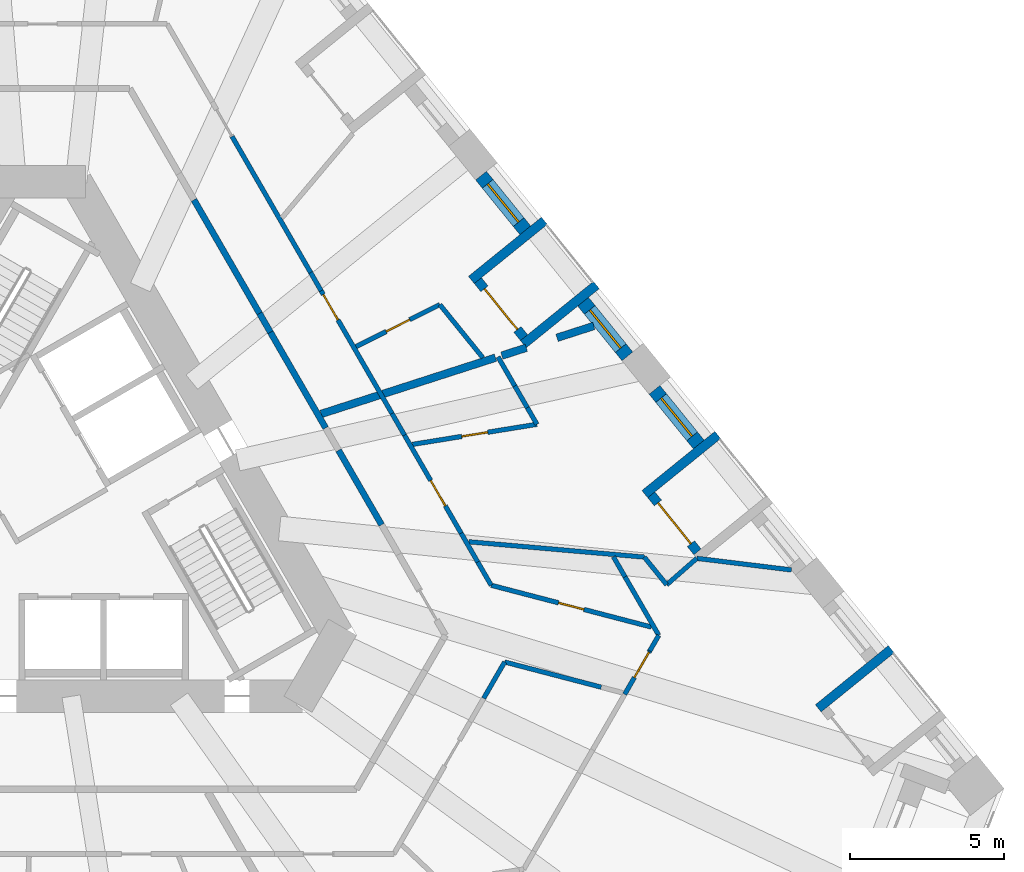
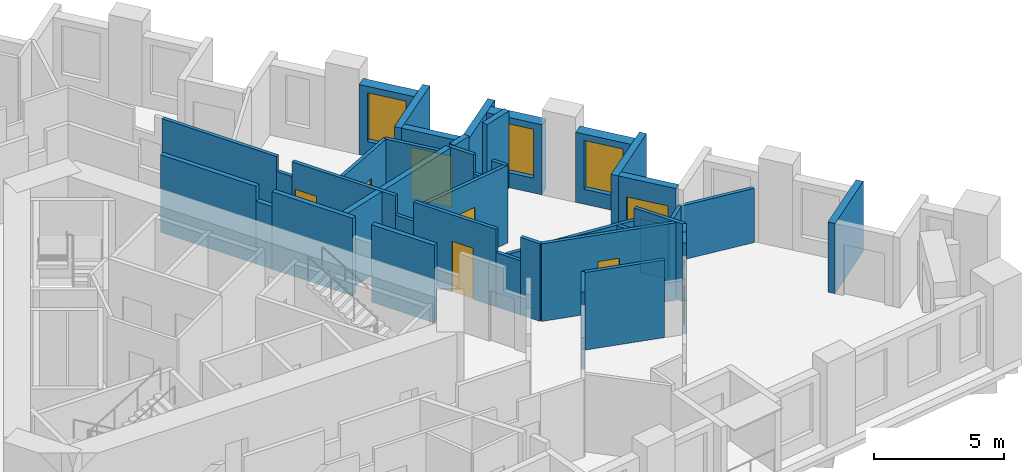
# One storey, part 7 of 14: 40 walls, 8 doors, 3 windows, 11 openings.
"""IFC4 building model written with IfcOpenShell, lengths in metres."""

from ifc_helpers import new_model, si_unit, direction, frame, frame_2d, origin, place, context, subcontext, project, spatial, polyline, rectangle, outline, extrude, material, layer, layer_set, type_object, element, fill, save


model = new_model("IFC4")

# Units and contexts
model_context = context("Model", 3, precision=1e-05, world=origin(), true_north=direction((0.0, 1.0)))
body_context = subcontext(model_context, "Body", "Model", "MODEL_VIEW")
ifc_project = project(units=[si_unit("LENGTHUNIT", "METRE"), si_unit("AREAUNIT", "SQUARE_METRE"), si_unit("VOLUMEUNIT", "CUBIC_METRE"), si_unit("PLANEANGLEUNIT", "RADIAN"), si_unit("MASSUNIT", "GRAM", prefix="KILO")], contexts=[model_context])

# Site, building, storey
site_placement = place(None, origin())
site = spatial("IfcSite", under=ifc_project, at=site_placement, CompositionType="ELEMENT")
building_placement = place(site_placement, origin())
building = spatial("IfcBuilding", under=site, at=building_placement, Name="Tramontana Tower", CompositionType="ELEMENT")
storey_placement = place(building_placement, frame((0.0, 0.0, 75.199951171875)))
storey = spatial("IfcBuildingStorey", under=building, at=storey_placement, Name="L16", CompositionType="ELEMENT", Elevation=75.199951171875)

# Walls
ifc_material_1 = material(Name="Blockwork", Category="masonry")
ifc_layer_1 = layer(ifc_material_1, 0.199951171875)
ifc_layer_set_1 = layer_set([ifc_layer_1], Name="ENTRY WALL 200")
wall_type_1 = type_object("IfcWallType", Name="ENTRY WALL 200", PredefinedType="SOLIDWALL", material=ifc_layer_set_1)
wall_1_placement = place(storey_placement, frame((4.97265625, 9.88720703125, 0.0), z_axis=(0.0, 0.0, 1.0), x_axis=(0.500000470374, -0.866025132214, 0.0)))
element("IfcWall", 1, at=wall_1_placement, inside=storey, type_object=wall_type_1, Name="Wall v12-ew0-2", PredefinedType="SOLIDWALL", context=body_context, shape_type="SweptSolid", body=[
    extrude(rectangle(XDim=4.2568359375, YDim=0.199951171875, at=frame_2d((2.12841796875, 0.0))), origin(), (0.0, 0.0, 1.0), 3.650146484375),
])
wall_2_placement = place(storey_placement, frame((7.10107421875, 6.20068359375, 0.0), z_axis=(0.0, 0.0, 1.0), x_axis=(0.499881507708, -0.866093804534, 0.0)))
element("IfcWall", 2, at=wall_2_placement, inside=storey, type_object=wall_type_1, Name="Wall v12-ew0-3", PredefinedType="SOLIDWALL", context=body_context, shape_type="SweptSolid", body=[
    extrude(rectangle(XDim=0.708740234375, YDim=0.199951171875, at=frame_2d((0.3544921875, 0.0))), origin(), (0.0, 0.0, 1.0), 2.949951171875),
])
wall_3_placement = place(storey_placement, frame((7.455322265625, 5.5869140625, 0.0), z_axis=(0.0, 0.0, 1.0), x_axis=(0.500013241293, -0.866017758786, 0.0)))
element("IfcWall", 3, at=wall_3_placement, inside=storey, type_object=wall_type_1, Name="Wall v12-ew0-4", PredefinedType="SOLIDWALL", context=body_context, shape_type="SweptSolid", body=[
    extrude(rectangle(XDim=3.58544921875, YDim=0.199951171875, at=frame_2d((1.792724609375, 0.0))), origin(), (0.0, 0.0, 1.0), 3.650146484375),
])
wall_4_placement = place(storey_placement, frame((9.667236328125, 1.756103515625, 0.0), z_axis=(0.0, 0.0, 1.0), x_axis=(0.499964529649, -0.866045881633, 0.0)))
element("IfcWall", 4, at=wall_4_placement, inside=storey, type_object=wall_type_1, Name="Wall v12-ew0-6", PredefinedType="SOLIDWALL", context=body_context, shape_type="SweptSolid", body=[
    extrude(rectangle(XDim=2.793701171875, YDim=0.199951171875, at=frame_2d((1.39697265625, 0.0))), origin(), (0.0, 0.0, 1.0), 3.650146484375),
])

# Wall, opening, window
ifc_material_2 = material(Name="Precast concrete 60 MPa", Category="concrete")
ifc_layer_2 = layer(ifc_material_2, 0.449951171875)
ifc_layer_set_2 = layer_set([ifc_layer_2], Name="Precast concrete 60 MPa, 450 mm")
wall_type_2 = type_object("IfcWallType", Name="EW1 Stone-faced precast wall 450", PredefinedType="SOLIDWALL", material=ifc_layer_set_2)
wall_5_placement = place(storey_placement, frame((21.361572265625, 1.94482421875, 0.0), z_axis=(0.0, 0.0, 1.0), x_axis=(-0.629339730135, 0.777130300576, 0.0)))
wall_5 = element("IfcWall", 5, at=wall_5_placement, inside=storey, type_object=wall_type_2, Name="External wall L16 face 2 bay 2", PredefinedType="SOLIDWALL", context=body_context, shape_type="SweptSolid", body=[
    extrude(rectangle(XDim=2.282958984375, YDim=0.449951171875, at=frame_2d((1.1416015625, 0.0))), origin(), (0.0, 0.0, 1.0), 3.300048828125),
])
opening_1_placement = place(wall_5_placement, frame((0.341552734375, 0.0, 0.699951171875)))
opening_1 = element("IfcOpeningElement", 6, at=opening_1_placement, cuts=wall_5, Name="Opening M1", PredefinedType="OPENING", context=body_context, shape_type="SweptSolid", body=[
    extrude(rectangle(XDim=1.60009765625, YDim=2.300048828125, at=frame_2d((0.800048828125, 1.14990234375))), frame((0.0, 0.23486328125, 0.0), z_axis=(0.0, -1.0, 0.0), x_axis=(1.0, 0.0, 0.0)), (0.0, 0.0, 1.0), 0.469970703125),
])
ifc_material_3 = material(Name="Aluminum frame, double glazing unit", Category="aluminium")
window_type = type_object("IfcWindowType", Name="M1 Window 1.6 x 2.3", PartitioningType="SINGLE_PANEL", PredefinedType="WINDOW", material=ifc_material_3)
window_1_placement = place(opening_1_placement, origin())
window_1 = element("IfcWindow", 7, at=window_1_placement, inside=storey, type_object=window_type, Name="Window M1 L16 face 2 module 6", OverallHeight=2.300048828125, OverallWidth=1.60009765625, PartitioningType="SINGLE_PANEL", PredefinedType="WINDOW", context=body_context, shape_type="SweptSolid", body=[
    extrude(rectangle(XDim=1.60009765625, YDim=2.300048828125, at=frame_2d((0.800048828125, 1.14990234375))), frame((0.0, 0.030029296875, 0.0), z_axis=(0.0, -1.0, 0.0), x_axis=(1.0, 0.0, 0.0)), (0.0, 0.0, 1.0), 0.06005859375),
])
fill(opening_1, window_1)

wall_6_placement = place(storey_placement, frame((19.0439453125, 4.80712890625, 0.0), z_axis=(0.0, 0.0, 1.0), x_axis=(-0.629339730135, 0.777130300576, 0.0)))
wall_6 = element("IfcWall", 8, at=wall_6_placement, inside=storey, type_object=wall_type_2, Name="External wall L16 face 2 bay 3", PredefinedType="SOLIDWALL", context=body_context, shape_type="SweptSolid", body=[
    extrude(rectangle(XDim=2.282958984375, YDim=0.449951171875, at=frame_2d((1.1416015625, 0.0))), origin(), (0.0, 0.0, 1.0), 3.300048828125),
])
opening_2_placement = place(wall_6_placement, frame((0.341552734375, 0.0, 0.699951171875)))
opening_2 = element("IfcOpeningElement", 9, at=opening_2_placement, cuts=wall_6, Name="Opening M1", PredefinedType="OPENING", context=body_context, shape_type="SweptSolid", body=[
    extrude(rectangle(XDim=1.60009765625, YDim=2.300048828125, at=frame_2d((0.800048828125, 1.14990234375))), frame((0.0, 0.23486328125, 0.0), z_axis=(0.0, -1.0, 0.0), x_axis=(1.0, 0.0, 0.0)), (0.0, 0.0, 1.0), 0.469970703125),
])
window_2_placement = place(opening_2_placement, origin())
window_2 = element("IfcWindow", 10, at=window_2_placement, inside=storey, type_object=window_type, Name="Window M1 L16 face 2 module 7", OverallHeight=2.300048828125, OverallWidth=1.60009765625, PartitioningType="SINGLE_PANEL", PredefinedType="WINDOW", context=body_context, shape_type="SweptSolid", body=[
    extrude(rectangle(XDim=1.60009765625, YDim=2.300048828125, at=frame_2d((0.800048828125, 1.14990234375))), frame((0.0, 0.030029296875, 0.0), z_axis=(0.0, -1.0, 0.0), x_axis=(1.0, 0.0, 0.0)), (0.0, 0.0, 1.0), 0.06005859375),
])
fill(opening_2, window_2)

wall_7_placement = place(storey_placement, frame((15.72998046875, 8.8994140625, 0.0), z_axis=(0.0, 0.0, 1.0), x_axis=(-0.629339730135, 0.777130300576, 0.0)))
wall_7 = element("IfcWall", 11, at=wall_7_placement, inside=storey, type_object=wall_type_2, Name="External wall L16 face 2 bay 3", PredefinedType="SOLIDWALL", context=body_context, shape_type="SweptSolid", body=[
    extrude(rectangle(XDim=2.282958984375, YDim=0.449951171875, at=frame_2d((1.1416015625, 0.0))), origin(), (0.0, 0.0, 1.0), 3.300048828125),
])
opening_3_placement = place(wall_7_placement, frame((0.341552734375, 0.0, 0.699951171875)))
opening_3 = element("IfcOpeningElement", 12, at=opening_3_placement, cuts=wall_7, Name="Opening M1", PredefinedType="OPENING", context=body_context, shape_type="SweptSolid", body=[
    extrude(rectangle(XDim=1.60009765625, YDim=2.300048828125, at=frame_2d((0.800048828125, 1.14990234375))), frame((0.0, 0.23486328125, 0.0), z_axis=(0.0, -1.0, 0.0), x_axis=(1.0, 0.0, 0.0)), (0.0, 0.0, 1.0), 0.469970703125),
])
window_3_placement = place(opening_3_placement, origin())
window_3 = element("IfcWindow", 13, at=window_3_placement, inside=storey, type_object=window_type, Name="Window M1 L16 face 2 module 9", OverallHeight=2.300048828125, OverallWidth=1.60009765625, PartitioningType="SINGLE_PANEL", PredefinedType="WINDOW", context=body_context, shape_type="SweptSolid", body=[
    extrude(rectangle(XDim=1.60009765625, YDim=2.300048828125, at=frame_2d((0.800048828125, 1.14990234375))), frame((0.0, 0.030029296875, 0.0), z_axis=(0.0, -1.0, 0.0), x_axis=(1.0, 0.0, 0.0)), (0.0, 0.0, 1.0), 0.06005859375),
])
fill(opening_3, window_3)

# Wall
ifc_material_4 = material(Name="Precast concrete 60 MPa", Category="concrete")
ifc_layer_3 = layer(ifc_material_4, 0.300048828125)
ifc_layer_set_3 = layer_set([ifc_layer_3], Name="LW1 Stone-faced loggia wall 300")
wall_type_3 = type_object("IfcWallType", Name="LW1 Stone-faced loggia wall 300", PredefinedType="SOLIDWALL", material=ifc_layer_set_3)
wall_8_placement = place(storey_placement, frame((27.6123046875, -4.70166015625, 0.0), z_axis=(0.0, 0.0, 1.0), x_axis=(-0.777153523895, -0.629311052102, 0.0)))
element("IfcWall", 14, at=wall_8_placement, inside=storey, type_object=wall_type_3, Name="Loggia return L16 G1S2.1b", PredefinedType="SOLIDWALL", context=body_context, shape_type="SweptSolid", body=[
    extrude(rectangle(XDim=3.050048828125, YDim=0.300048828125, at=frame_2d((1.52490234375, 0.0))), origin(), (0.0, 0.0, 1.0), 3.300048828125),
])

# Wall, opening, door
wall_9_placement = place(storey_placement, frame((21.32080078125, -1.54052734375, 0.0), z_axis=(0.0, 0.0, 1.0), x_axis=(-0.629257171563, 0.777197151331, 0.0)))
wall_9 = element("IfcWall", 15, at=wall_9_placement, inside=storey, type_object=wall_type_3, Name="Loggia wall L16 G1S2.4", PredefinedType="SOLIDWALL", context=body_context, shape_type="SweptSolid", body=[
    extrude(rectangle(XDim=2.383056640625, YDim=0.300048828125, at=frame_2d((1.19140625, 0.0))), origin(), (0.0, 0.0, 1.0), 3.300048828125),
])
opening_4_placement = place(wall_9_placement, frame((0.341552734375, 0.0, 0.0)))
opening_4 = element("IfcOpeningElement", 16, at=opening_4_placement, cuts=wall_9, Name="Opening BD-1S2-04", PredefinedType="OPENING", context=body_context, shape_type="SweptSolid", body=[
    extrude(rectangle(XDim=1.699951171875, YDim=2.39990234375, at=frame_2d((0.85009765625, 1.199951171875))), frame((0.0, 0.159912109375, 0.0), z_axis=(0.0, -1.0, 0.0), x_axis=(1.0, 0.0, 0.0)), (0.0, 0.0, 1.0), 0.320068359375),
])
ifc_material_5 = material(Name="Aluminum frame, double glazing unit", Category="aluminium")
door_type_1 = type_object("IfcDoorType", Name="BD1 Sliding door 1.7 x 2.4", OperationType="SLIDING_TO_LEFT", PredefinedType="DOOR", material=ifc_material_5)
door_1_placement = place(opening_4_placement, origin())
door_1 = element("IfcDoor", 17, at=door_1_placement, inside=storey, type_object=door_type_1, Name="Loggia door L16 G1S2.4", OperationType="SLIDING_TO_LEFT", OverallHeight=2.39990234375, OverallWidth=1.699951171875, PredefinedType="DOOR", context=body_context, shape_type="SweptSolid", body=[
    extrude(rectangle(XDim=1.699951171875, YDim=2.39990234375, at=frame_2d((0.85009765625, 1.199951171875))), frame((0.0, 0.02490234375, 0.0), z_axis=(0.0, -1.0, 0.0), x_axis=(1.0, 0.0, 0.0)), (0.0, 0.0, 1.0), 0.050048828125),
])
fill(opening_4, door_1)

# Wall
wall_10_placement = place(storey_placement, frame((21.98046875, 2.2529296875, 0.0), z_axis=(0.0, 0.0, 1.0), x_axis=(-0.777121820661, -0.629350201281, 0.0)))
element("IfcWall", 18, at=wall_10_placement, inside=storey, type_object=wall_type_3, Name="Loggia return L16 G1S2.4b", PredefinedType="SOLIDWALL", context=body_context, shape_type="SweptSolid", body=[
    extrude(rectangle(XDim=3.0498046875, YDim=0.300048828125, at=frame_2d((1.52490234375, 0.0))), origin(), (0.0, 0.0, 1.0), 3.300048828125),
])

# Wall, opening, door
wall_11_placement = place(storey_placement, frame((15.689208984375, 5.4140625, 0.0), z_axis=(0.0, 0.0, 1.0), x_axis=(-0.629319049918, 0.777147047482, 0.0)))
wall_11 = element("IfcWall", 19, at=wall_11_placement, inside=storey, type_object=wall_type_3, Name="Loggia wall L16 G1S2.7", PredefinedType="SOLIDWALL", context=body_context, shape_type="SweptSolid", body=[
    extrude(rectangle(XDim=2.383056640625, YDim=0.300048828125, at=frame_2d((1.19140625, 0.0))), origin(), (0.0, 0.0, 1.0), 3.300048828125),
])
opening_5_placement = place(wall_11_placement, frame((0.341552734375, 0.0, 0.0)))
opening_5 = element("IfcOpeningElement", 20, at=opening_5_placement, cuts=wall_11, Name="Opening BD-1S2-07", PredefinedType="OPENING", context=body_context, shape_type="SweptSolid", body=[
    extrude(rectangle(XDim=1.699951171875, YDim=2.39990234375, at=frame_2d((0.85009765625, 1.199951171875))), frame((0.0, 0.159912109375, 0.0), z_axis=(0.0, -1.0, 0.0), x_axis=(1.0, 0.0, 0.0)), (0.0, 0.0, 1.0), 0.320068359375),
])
door_2_placement = place(opening_5_placement, origin())
door_2 = element("IfcDoor", 21, at=door_2_placement, inside=storey, type_object=door_type_1, Name="Loggia door L16 G1S2.7", OperationType="SLIDING_TO_LEFT", OverallHeight=2.39990234375, OverallWidth=1.699951171875, PredefinedType="DOOR", context=body_context, shape_type="SweptSolid", body=[
    extrude(rectangle(XDim=1.699951171875, YDim=2.39990234375, at=frame_2d((0.85009765625, 1.199951171875))), frame((0.0, 0.02490234375, 0.0), z_axis=(0.0, -1.0, 0.0), x_axis=(1.0, 0.0, 0.0)), (0.0, 0.0, 1.0), 0.050048828125),
])
fill(opening_5, door_2)

# Walls
for number, where, z_axis, x_axis, name in (
    (22, (18.037353515625, 7.12255859375, 0.0), (0.0, 0.0, 1.0), (-0.777153523895, -0.629311052102, 0.0), "Loggia return L16 G1S2.7a"),
    (23, (16.348876953125, 9.207763671875, 0.0), (0.0, 0.0, 1.0), (-0.777153523895, -0.629311052102, 0.0), "Loggia return L16 G1S2.7b"),
):
    element("IfcWall", number, at=place(storey_placement, frame(where, z_axis=z_axis, x_axis=x_axis)), inside=storey, type_object=wall_type_3, Name=name, PredefinedType="SOLIDWALL", context=body_context, shape_type="SweptSolid", body=[
        extrude(rectangle(XDim=3.050048828125, YDim=0.300048828125, at=frame_2d((1.52490234375, 0.0))), origin(), (0.0, 0.0, 1.0), 3.300048828125),
    ])
ifc_material_6 = material(Name="Gypsum board partition")
ifc_layer_4 = layer(ifc_material_6, 0.14990234375)
ifc_layer_set_4 = layer_set([ifc_layer_4], Name="PARTITION 150")
wall_type_4 = type_object("IfcWallType", Name="PARTITION 150", PredefinedType="PARTITIONING", material=ifc_layer_set_4)
wall_12_placement = place(storey_placement, frame((6.208740234375, 11.946044921875, 0.0), z_axis=(0.0, 0.0, 1.0), x_axis=(0.500024842346, -0.866011060574, 0.0)))
element("IfcWall", 24, at=wall_12_placement, inside=storey, type_object=wall_type_4, Name="Wall v12-pw26-2", PredefinedType="PARTITIONING", context=body_context, shape_type="SweptSolid", body=[
    extrude(rectangle(XDim=5.101806640625, YDim=0.14990234375, at=frame_2d((2.55078125, 0.0))), origin(), (0.0, 0.0, 1.0), 3.650146484375),
])
wall_13_placement = place(storey_placement, frame((8.759765625, 7.52783203125, 0.0), z_axis=(0.0, 0.0, 1.0), x_axis=(0.499712146016, -0.866191532586, 0.0)))
element("IfcWall", 25, at=wall_13_placement, inside=storey, type_object=wall_type_4, Name="Wall v12-pw26-3", PredefinedType="PARTITIONING", context=body_context, shape_type="SweptSolid", body=[
    extrude(rectangle(XDim=0.68359375, YDim=0.14990234375, at=frame_2d((0.341796875, 0.0))), origin(), (0.0, 0.0, 1.0), 2.949951171875),
])

# Wall, opening, door
wall_14_placement = place(storey_placement, frame((9.101318359375, 6.935791015625, 0.0), z_axis=(0.0, 0.0, 1.0), x_axis=(0.500008794324, -0.866020326319, 0.0)))
wall_14 = element("IfcWall", 26, at=wall_14_placement, inside=storey, type_object=wall_type_4, Name="Wall v12-pw26-4", PredefinedType="PARTITIONING", context=body_context, shape_type="SweptSolid", body=[
    extrude(rectangle(XDim=4.6005859375, YDim=0.14990234375, at=frame_2d((2.30029296875, 0.0))), origin(), (0.0, 0.0, 1.0), 3.650146484375),
])
opening_6_placement = place(wall_14_placement, frame((0.139892578125, 0.0, 0.0)))
opening_6 = element("IfcOpeningElement", 27, at=opening_6_placement, cuts=wall_14, Name="Opening B1C-05", PredefinedType="OPENING", context=body_context, shape_type="SweptSolid", body=[
    extrude(rectangle(XDim=0.949951171875, YDim=2.39990234375, at=frame_2d((0.47509765625, 1.199951171875))), frame((0.0, 0.0849609375, 0.0), z_axis=(0.0, -1.0, 0.0), x_axis=(1.0, 0.0, 0.0)), (0.0, 0.0, 1.0), 0.169921875),
])
ifc_material_7 = material(Name="Painted timber", Category="wood")
door_type_2 = type_object("IfcDoorType", Name="DOOR ROOM 950", OperationType="SINGLE_SWING_LEFT", PredefinedType="DOOR", material=ifc_material_7)
door_3_placement = place(opening_6_placement, origin())
door_3 = element("IfcDoor", 28, at=door_3_placement, inside=storey, type_object=door_type_2, Name="Door B1C-05", OperationType="SINGLE_SWING_LEFT", OverallHeight=2.39990234375, OverallWidth=0.949951171875, PredefinedType="DOOR", context=body_context, shape_type="SweptSolid", body=[
    extrude(rectangle(XDim=0.949951171875, YDim=2.39990234375, at=frame_2d((0.47509765625, 1.199951171875))), frame((0.0, 0.02490234375, 0.0), z_axis=(0.0, -1.0, 0.0), x_axis=(1.0, 0.0, 0.0)), (0.0, 0.0, 1.0), 0.050048828125),
])
fill(opening_6, door_3)

# Wall
wall_15_placement = place(storey_placement, frame((11.401611328125, 2.95166015625, 0.0), z_axis=(0.0, 0.0, 1.0), x_axis=(0.500147393723, -0.865940289253, 0.0)))
element("IfcWall", 29, at=wall_15_placement, inside=storey, type_object=wall_type_4, Name="Wall v12-pw26-5", PredefinedType="PARTITIONING", context=body_context, shape_type="SweptSolid", body=[
    extrude(rectangle(XDim=0.812255859375, YDim=0.14990234375, at=frame_2d((0.40625, 0.0))), origin(), (0.0, 0.0, 1.0), 2.75),
])

# Wall, opening, door
wall_16_placement = place(storey_placement, frame((11.807861328125, 2.248291015625, 0.0), z_axis=(0.0, 0.0, 1.0), x_axis=(0.500002145574, -0.866024165033, 0.0)))
wall_16 = element("IfcWall", 30, at=wall_16_placement, inside=storey, type_object=wall_type_4, Name="Wall v12-pw26-6", PredefinedType="PARTITIONING", context=body_context, shape_type="SweptSolid", body=[
    extrude(rectangle(XDim=3.67724609375, YDim=0.14990234375, at=frame_2d((1.838623046875, 0.0))), origin(), (0.0, 0.0, 1.0), 3.650146484375),
])
opening_7_placement = place(wall_16_placement, frame((1.69970703125, 0.0, 0.0)))
opening_7 = element("IfcOpeningElement", 31, at=opening_7_placement, cuts=wall_16, Name="Opening B1C-22", PredefinedType="OPENING", context=body_context, shape_type="SweptSolid", body=[
    extrude(rectangle(XDim=0.949951171875, YDim=2.39990234375, at=frame_2d((0.47509765625, 1.199951171875))), frame((0.0, 0.0849609375, 0.0), z_axis=(0.0, -1.0, 0.0), x_axis=(1.0, 0.0, 0.0)), (0.0, 0.0, 1.0), 0.169921875),
])
door_4_placement = place(opening_7_placement, origin())
door_4 = element("IfcDoor", 32, at=door_4_placement, inside=storey, type_object=door_type_2, Name="Door B1C-22", OperationType="SINGLE_SWING_RIGHT", OverallHeight=2.39990234375, OverallWidth=0.949951171875, PredefinedType="DOOR", context=body_context, shape_type="SweptSolid", body=[
    extrude(rectangle(XDim=0.949951171875, YDim=2.39990234375, at=frame_2d((0.47509765625, 1.199951171875))), frame((0.0, 0.02490234375, 0.0), z_axis=(0.0, -1.0, 0.0), x_axis=(1.0, 0.0, 0.0)), (0.0, 0.0, 1.0), 0.050048828125),
])
fill(opening_7, door_4)

# Walls
wall_17_placement = place(storey_placement, frame((13.646484375, -0.936279296875, 0.0), z_axis=(0.0, 0.0, 1.0), x_axis=(0.499938053331, -0.866061165757, 0.0)))
element("IfcWall", 33, at=wall_17_placement, inside=storey, type_object=wall_type_4, Name="Wall v12-pw26-7", PredefinedType="PARTITIONING", context=body_context, shape_type="SweptSolid", body=[
    extrude(rectangle(XDim=1.078369140625, YDim=0.14990234375, at=frame_2d((0.5390625, 0.0))), origin(), (0.0, 0.0, 1.0), 2.550048828125),
])
wall_18_placement = place(storey_placement, frame((14.185546875, -1.8701171875, 0.0), z_axis=(0.0, 0.0, 1.0), x_axis=(0.500053675867, -0.86599441179, 0.0)))
element("IfcWall", 34, at=wall_18_placement, inside=storey, type_object=wall_type_4, Name="Wall v12-pw26-8", PredefinedType="PARTITIONING", context=body_context, shape_type="SweptSolid", body=[
    extrude(rectangle(XDim=0.8720703125, YDim=0.14990234375, at=frame_2d((0.43603515625, 0.0))), origin(), (0.0, 0.0, 1.0), 3.650146484375),
])

# Wall, opening, door
wall_19_placement = place(storey_placement, frame((12.9541015625, 6.487060546875, 0.0), z_axis=(0.0, 0.0, 1.0), x_axis=(-0.89415419639, -0.447759168613, 0.0)))
wall_19 = element("IfcWall", 35, at=wall_19_placement, inside=storey, type_object=wall_type_4, Name="Wall v12-pw33", PredefinedType="PARTITIONING", context=body_context, shape_type="SweptSolid", body=[
    extrude(rectangle(XDim=3.04248046875, YDim=0.14990234375, at=frame_2d((1.521240234375, 0.0))), origin(), (0.0, 0.0, 1.0), 3.650146484375),
])
opening_8_placement = place(wall_19_placement, frame((1.09619140625, 0.0, 0.0)))
opening_8 = element("IfcOpeningElement", 36, at=opening_8_placement, cuts=wall_19, Name="Opening B1C-07", PredefinedType="OPENING", context=body_context, shape_type="SweptSolid", body=[
    extrude(rectangle(XDim=0.85009765625, YDim=2.39990234375, at=frame_2d((0.425048828125, 1.199951171875))), frame((0.0, 0.0849609375, 0.0), z_axis=(0.0, -1.0, 0.0), x_axis=(1.0, 0.0, 0.0)), (0.0, 0.0, 1.0), 0.169921875),
])
ifc_material_8 = material(Name="Painted timber", Category="wood")
door_type_3 = type_object("IfcDoorType", Name="DOOR BATH 850", OperationType="SINGLE_SWING_LEFT", PredefinedType="DOOR", material=ifc_material_8)
door_5_placement = place(opening_8_placement, origin())
door_5 = element("IfcDoor", 37, at=door_5_placement, inside=storey, type_object=door_type_3, Name="Door B1C-07", OperationType="SINGLE_SWING_LEFT", OverallHeight=2.39990234375, OverallWidth=0.85009765625, PredefinedType="DOOR", context=body_context, shape_type="SweptSolid", body=[
    extrude(rectangle(XDim=0.85009765625, YDim=2.39990234375, at=frame_2d((0.425048828125, 1.199951171875))), frame((0.0, 0.02490234375, 0.0), z_axis=(0.0, -1.0, 0.0), x_axis=(1.0, 0.0, 0.0)), (0.0, 0.0, 1.0), 0.050048828125),
])
fill(opening_8, door_5)

# Walls
wall_20_placement = place(storey_placement, frame((12.954345703125, 6.487060546875, 0.0), z_axis=(0.0, 0.0, 1.0), x_axis=(0.629286855042, -0.777173117182, 0.0)))
element("IfcWall", 38, at=wall_20_placement, inside=storey, type_object=wall_type_4, Name="Wall v12-pw35", PredefinedType="PARTITIONING", context=body_context, shape_type="SweptSolid", body=[
    extrude(rectangle(XDim=2.21875, YDim=0.14990234375, at=frame_2d((1.109375, 0.0))), origin(), (0.0, 0.0, 1.0), 3.650146484375),
])
wall_21_placement = place(storey_placement, frame((13.892822265625, -1.213134765625, 0.0), z_axis=(0.0, 0.0, 1.0), x_axis=(0.996208015501, -0.087003389883, 0.0)))
element("IfcWall", 39, at=wall_21_placement, inside=storey, type_object=wall_type_4, Name="Wall v12-pw36-0", PredefinedType="PARTITIONING", context=body_context, shape_type="SweptSolid", body=[
    extrude(rectangle(XDim=5.7216796875, YDim=0.14990234375, at=frame_2d((2.86083984375, 0.0))), origin(), (0.0, 0.0, 1.0), 2.550048828125),
])

# Wall, opening, door
wall_22_placement = place(storey_placement, frame((14.62158203125, -2.625244140625, 0.0), z_axis=(0.0, 0.0, 1.0), x_axis=(0.967617272397, -0.252421897147, 0.0)))
wall_22 = element("IfcWall", 40, at=wall_22_placement, inside=storey, type_object=wall_type_4, Name="Wall v12-pw39", PredefinedType="PARTITIONING", context=body_context, shape_type="SweptSolid", body=[
    extrude(rectangle(XDim=5.373779296875, YDim=0.14990234375, at=frame_2d((2.68701171875, 0.0))), origin(), (0.0, 0.0, 1.0), 3.650146484375),
])
opening_9_placement = place(wall_22_placement, frame((2.261962890625, 0.0, 0.0)))
opening_9 = element("IfcOpeningElement", 41, at=opening_9_placement, cuts=wall_22, Name="Opening B1C-19", PredefinedType="OPENING", context=body_context, shape_type="SweptSolid", body=[
    extrude(rectangle(XDim=0.85009765625, YDim=2.39990234375, at=frame_2d((0.425048828125, 1.199951171875))), frame((0.0, 0.0849609375, 0.0), z_axis=(0.0, -1.0, 0.0), x_axis=(1.0, 0.0, 0.0)), (0.0, 0.0, 1.0), 0.169921875),
])
door_6_placement = place(opening_9_placement, origin())
door_6 = element("IfcDoor", 42, at=door_6_placement, inside=storey, type_object=door_type_3, Name="Door B1C-19", OperationType="SINGLE_SWING_LEFT", OverallHeight=2.39990234375, OverallWidth=0.85009765625, PredefinedType="DOOR", context=body_context, shape_type="SweptSolid", body=[
    extrude(rectangle(XDim=0.85009765625, YDim=2.39990234375, at=frame_2d((0.425048828125, 1.199951171875))), frame((0.0, 0.02490234375, 0.0), z_axis=(0.0, -1.0, 0.0), x_axis=(1.0, 0.0, 0.0)), (0.0, 0.0, 1.0), 0.050048828125),
])
fill(opening_9, door_6)

# Walls
wall_23_placement = place(storey_placement, frame((14.843505859375, 4.790283203125, 0.0), z_axis=(0.0, 0.0, 1.0), x_axis=(0.499916078468, -0.866073850482, 0.0)))
element("IfcWall", 43, at=wall_23_placement, inside=storey, type_object=wall_type_4, Name="Wall v12-pw41-0", PredefinedType="PARTITIONING", context=body_context, shape_type="SweptSolid", body=[
    extrude(rectangle(XDim=1.091552734375, YDim=0.14990234375, at=frame_2d((0.5458984375, 0.0))), origin(), (0.0, 0.0, 1.0), 3.650146484375),
])
wall_24_placement = place(storey_placement, frame((15.38916015625, 3.844970703125, 0.0), z_axis=(0.0, 0.0, 1.0), x_axis=(0.500052144805, -0.865995295874, 0.0)))
element("IfcWall", 44, at=wall_24_placement, inside=storey, type_object=wall_type_4, Name="Wall v12-pw41-1", PredefinedType="PARTITIONING", context=body_context, shape_type="SweptSolid", body=[
    extrude(rectangle(XDim=0.81201171875, YDim=0.14990234375, at=frame_2d((0.406005859375, 0.0))), origin(), (0.0, 0.0, 1.0), 2.75),
])
wall_25_placement = place(storey_placement, frame((15.795166015625, 3.141845703125, 0.0), z_axis=(0.0, 0.0, 1.0), x_axis=(0.500173430036, -0.86592525075, 0.0)))
element("IfcWall", 45, at=wall_25_placement, inside=storey, type_object=wall_type_4, Name="Wall v12-pw41-2", PredefinedType="PARTITIONING", context=body_context, shape_type="SweptSolid", body=[
    extrude(rectangle(XDim=0.624755859375, YDim=0.14990234375, at=frame_2d((0.3125, 0.0))), origin(), (0.0, 0.0, 1.0), 3.650146484375),
])
wall_26_placement = place(storey_placement, frame((15.060791015625, -5.11376953125, 0.0), z_axis=(0.0, 0.0, 1.0), x_axis=(-0.499985602051, -0.866033716285, 0.0)))
element("IfcWall", 46, at=wall_26_placement, inside=storey, type_object=wall_type_4, Name="Wall v12-pw42-0", PredefinedType="PARTITIONING", context=body_context, shape_type="SweptSolid", body=[
    extrude(rectangle(XDim=1.365234375, YDim=0.14990234375, at=frame_2d((0.6826171875, 0.0))), origin(), (0.0, 0.0, 1.0), 3.650146484375),
])

# Wall, opening, door
wall_27_placement = place(storey_placement, frame((12.067626953125, 1.948486328125, 0.0), z_axis=(0.0, 0.0, 1.0), x_axis=(0.987213273505, 0.159404995577, 0.0)))
wall_27 = element("IfcWall", 47, at=wall_27_placement, inside=storey, type_object=wall_type_4, Name="Wall v12-pw45", PredefinedType="PARTITIONING", context=body_context, shape_type="SweptSolid", body=[
    extrude(rectangle(XDim=4.09228515625, YDim=0.14990234375, at=frame_2d((2.046142578125, 0.0))), origin(), (0.0, 0.0, 1.0), 3.650146484375),
])
opening_10_placement = place(wall_27_placement, frame((1.621337890625, 0.0, 0.0)))
opening_10 = element("IfcOpeningElement", 48, at=opening_10_placement, cuts=wall_27, Name="Opening B1C-23", PredefinedType="OPENING", context=body_context, shape_type="SweptSolid", body=[
    extrude(rectangle(XDim=0.85009765625, YDim=2.39990234375, at=frame_2d((0.425048828125, 1.199951171875))), frame((0.0, 0.0849609375, 0.0), z_axis=(0.0, -1.0, 0.0), x_axis=(1.0, 0.0, 0.0)), (0.0, 0.0, 1.0), 0.169921875),
])
door_7_placement = place(opening_10_placement, origin())
door_7 = element("IfcDoor", 49, at=door_7_placement, inside=storey, type_object=door_type_3, Name="Door B1C-23", OperationType="SINGLE_SWING_LEFT", OverallHeight=2.39990234375, OverallWidth=0.85009765625, PredefinedType="DOOR", context=body_context, shape_type="SweptSolid", body=[
    extrude(rectangle(XDim=0.85009765625, YDim=2.39990234375, at=frame_2d((0.425048828125, 1.199951171875))), frame((0.0, 0.02490234375, 0.0), z_axis=(0.0, -1.0, 0.0), x_axis=(1.0, 0.0, 0.0)), (0.0, 0.0, 1.0), 0.050048828125),
])
fill(opening_10, door_7)

# Walls
wall_28_placement = place(storey_placement, frame((18.58984375, -1.698486328125, 0.0), z_axis=(0.0, 0.0, 1.0), x_axis=(0.500105127418, -0.865964699933, 0.0)))
element("IfcWall", 50, at=wall_28_placement, inside=storey, type_object=wall_type_4, Name="Wall v12-pw47-0", PredefinedType="PARTITIONING", context=body_context, shape_type="SweptSolid", body=[
    extrude(rectangle(XDim=0.754638671875, YDim=0.14990234375, at=frame_2d((0.37744140625, 0.0))), origin(), (0.0, 0.0, 1.0), 2.550048828125),
])
wall_29_placement = place(storey_placement, frame((18.96728515625, -2.35205078125, 0.0), z_axis=(0.0, 0.0, 1.0), x_axis=(0.499973180286, -0.8660408876, 0.0)))
element("IfcWall", 51, at=wall_29_placement, inside=storey, type_object=wall_type_4, Name="Wall v12-pw47-1", PredefinedType="PARTITIONING", context=body_context, shape_type="SweptSolid", body=[
    extrude(rectangle(XDim=2.19140625, YDim=0.14990234375, at=frame_2d((1.095703125, 0.0))), origin(), (0.0, 0.0, 1.0), 3.650146484375),
])
wall_30_placement = place(storey_placement, frame((18.195068359375, -5.934326171875, 0.0), z_axis=(0.0, 0.0, 1.0), x_axis=(-0.96762847199, 0.252378961474, 0.0)))
element("IfcWall", 52, at=wall_30_placement, inside=storey, type_object=wall_type_4, Name="Wall v12-pw48-1", PredefinedType="PARTITIONING", context=body_context, shape_type="SweptSolid", body=[
    extrude(rectangle(XDim=3.24072265625, YDim=0.14990234375, at=frame_2d((1.620361328125, 0.0))), origin(), (0.0, 0.0, 1.0), 3.650146484375),
])
wall_31_placement = place(storey_placement, frame((19.5927734375, -1.7109375, 0.0), z_axis=(0.0, 0.0, 1.0), x_axis=(0.629356548681, -0.777116680192, 0.0)))
element("IfcWall", 53, at=wall_31_placement, inside=storey, type_object=wall_type_4, Name="Wall v12-pw49-0", PredefinedType="PARTITIONING", context=body_context, shape_type="SweptSolid", body=[
    extrude(rectangle(XDim=1.1533203125, YDim=0.14990234375, at=frame_2d((0.57666015625, 0.0))), origin(), (0.0, 0.0, 1.0), 2.550048828125),
])
wall_32_placement = place(storey_placement, frame((20.06298828125, -4.25, 0.0), z_axis=(0.0, 0.0, 1.0), x_axis=(-0.500312357489, -0.865844988981, 0.0)))
element("IfcWall", 54, at=wall_32_placement, inside=storey, type_object=wall_type_4, Name="Wall v12-pw50-0", PredefinedType="PARTITIONING", context=body_context, shape_type="SweptSolid", body=[
    extrude(rectangle(XDim=0.585205078125, YDim=0.14990234375, at=frame_2d((0.29248046875, 0.0))), origin(), (0.0, 0.0, 1.0), 3.650146484375),
])

# Wall, opening, door
wall_33_placement = place(storey_placement, frame((19.770263671875, -4.756591796875, 0.0), z_axis=(0.0, 0.0, 1.0), x_axis=(-0.499952193351, -0.866053003207, 0.0)))
wall_33 = element("IfcWall", 55, at=wall_33_placement, inside=storey, type_object=wall_type_4, Name="Wall v12-pw50-1", PredefinedType="PARTITIONING", context=body_context, shape_type="SweptSolid", body=[
    extrude(outline(polyline([(0.0, 0.0), (1.625244140625, 0.0), (1.625, 2.550048828125), (0.72607421875, 2.550048828125), (0.72607421875, 3.650146484375), (0.0, 3.650146484375), (0.0, 0.0)])), frame((0.0, 0.074951171875, 0.0), z_axis=(0.0, -1.0, 0.0), x_axis=(1.0, 0.0, 0.0)), (0.0, 0.0, 1.0), 0.14990234375),
])
opening_11_placement = place(wall_33_placement, frame((0.050048828125, 0.0, 0.0)))
opening_11 = element("IfcOpeningElement", 56, at=opening_11_placement, cuts=wall_33, Name="Opening B1C-20", PredefinedType="OPENING", context=body_context, shape_type="SweptSolid", body=[
    extrude(rectangle(XDim=0.949951171875, YDim=2.39990234375, at=frame_2d((0.47509765625, 1.199951171875))), frame((0.0, 0.0849609375, 0.0), z_axis=(0.0, -1.0, 0.0), x_axis=(1.0, 0.0, 0.0)), (0.0, 0.0, 1.0), 0.169921875),
])
door_8_placement = place(opening_11_placement, origin())
door_8 = element("IfcDoor", 57, at=door_8_placement, inside=storey, type_object=door_type_2, Name="Door B1C-20", OperationType="SINGLE_SWING_RIGHT", OverallHeight=2.39990234375, OverallWidth=0.949951171875, PredefinedType="DOOR", context=body_context, shape_type="SweptSolid", body=[
    extrude(rectangle(XDim=0.949951171875, YDim=2.39990234375, at=frame_2d((0.47509765625, 1.199951171875))), frame((0.0, 0.02490234375, 0.0), z_axis=(0.0, -1.0, 0.0), x_axis=(1.0, 0.0, 0.0)), (0.0, 0.0, 1.0), 0.050048828125),
])
fill(opening_11, door_8)

# Walls
wall_34_placement = place(storey_placement, frame((20.321533203125, -2.607421875, 0.0), z_axis=(0.0, 0.0, 1.0), x_axis=(0.75226229256, 0.658863751615, 0.0)))
element("IfcWall", 58, at=wall_34_placement, inside=storey, type_object=wall_type_4, Name="Wall v12-pw51-0", PredefinedType="PARTITIONING", context=body_context, shape_type="SweptSolid", body=[
    extrude(rectangle(XDim=1.299072265625, YDim=0.14990234375, at=frame_2d((0.6494140625, 0.0))), origin(), (0.0, 0.0, 1.0), 2.550048828125),
])
wall_35_placement = place(storey_placement, frame((21.298828125, -1.75146484375, 0.0), z_axis=(0.0, 0.0, 1.0), x_axis=(0.992571228933, -0.121664931241, 0.0)))
element("IfcWall", 59, at=wall_35_placement, inside=storey, type_object=wall_type_4, Name="Wall v12-pw52-0", PredefinedType="PARTITIONING", context=body_context, shape_type="SweptSolid", body=[
    extrude(rectangle(XDim=3.09423828125, YDim=0.14990234375, at=frame_2d((1.547119140625, 0.0))), origin(), (0.0, 0.0, 1.0), 2.550048828125),
])
ifc_material_9 = material(Name="Blockwork", Category="masonry")
ifc_layer_5 = layer(ifc_material_9, 0.25)
ifc_layer_set_5 = layer_set([ifc_layer_5], Name="PARTY WALL 250")
wall_type_5 = type_object("IfcWallType", Name="PARTY WALL 250", PredefinedType="SOLIDWALL", material=ifc_layer_set_5)
wall_36_placement = place(storey_placement, frame((14.76220703125, 4.76416015625, 0.0), z_axis=(0.0, 0.0, 1.0), x_axis=(-0.951664512743, -0.307139471878, 0.0)))
element("IfcWall", 60, at=wall_36_placement, inside=storey, type_object=wall_type_5, Name="Wall v12-pw40", PredefinedType="SOLIDWALL", context=body_context, shape_type="SweptSolid", body=[
    extrude(rectangle(XDim=5.948974609375, YDim=0.25, at=frame_2d((2.974609375, 0.0))), origin(), (0.0, 0.0, 1.0), 3.650146484375),
])
wall_37_placement = place(storey_placement, frame((15.761474609375, 5.086669921875, 0.0), z_axis=(0.0, 0.0, 1.0), x_axis=(-0.951658882414, -0.307156916775, 0.0)))
element("IfcWall", 61, at=wall_37_placement, inside=storey, type_object=wall_type_5, Name="Wall v12-pw44", PredefinedType="SOLIDWALL", context=body_context, shape_type="SweptSolid", body=[
    extrude(rectangle(XDim=0.8330078125, YDim=0.25, at=frame_2d((0.41650390625, 0.0))), origin(), (0.0, 0.0, 1.0), 3.650146484375),
])
wall_38_placement = place(storey_placement, frame((17.95458984375, 5.79443359375, 0.0), z_axis=(0.0, 0.0, 1.0), x_axis=(-0.951675595288, -0.307105130749, 0.0)))
element("IfcWall", 62, at=wall_38_placement, inside=storey, type_object=wall_type_5, Name="Wall v12-pw46", PredefinedType="SOLIDWALL", context=body_context, shape_type="SweptSolid", body=[
    extrude(rectangle(XDim=1.25439453125, YDim=0.25, at=frame_2d((0.627197265625, 0.0))), origin(), (0.0, 0.0, 1.0), 3.650146484375),
])

save(model, "model.ifc")
